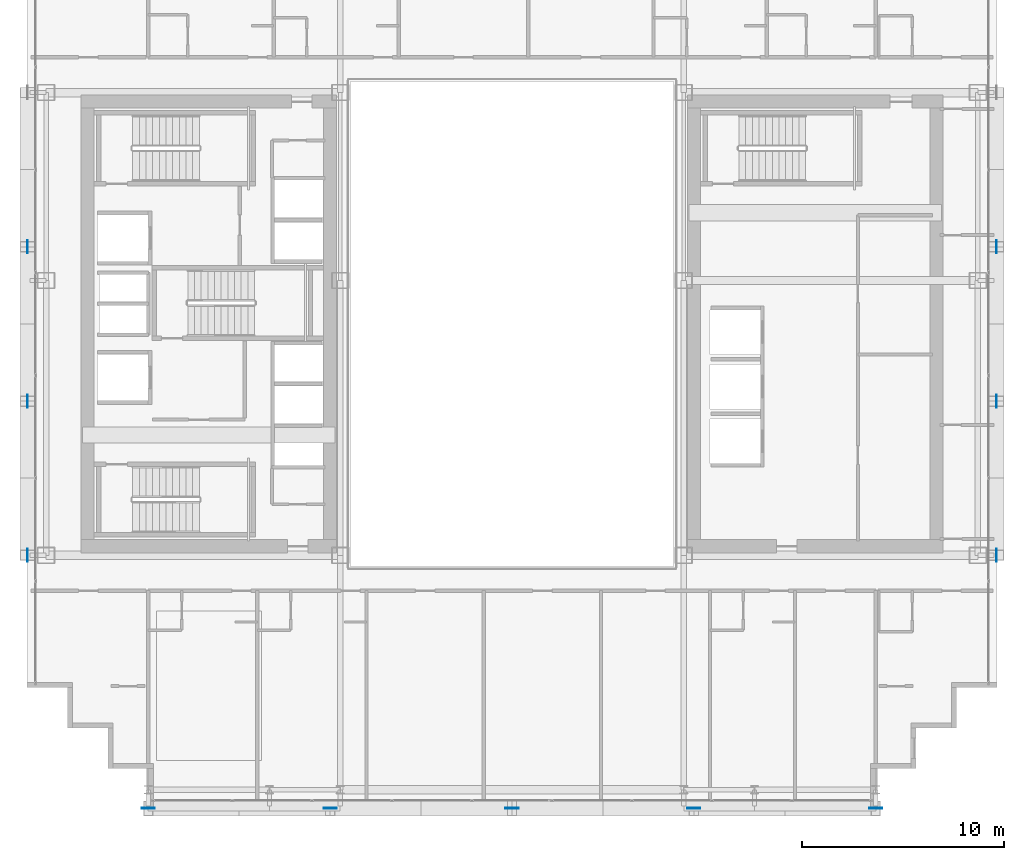
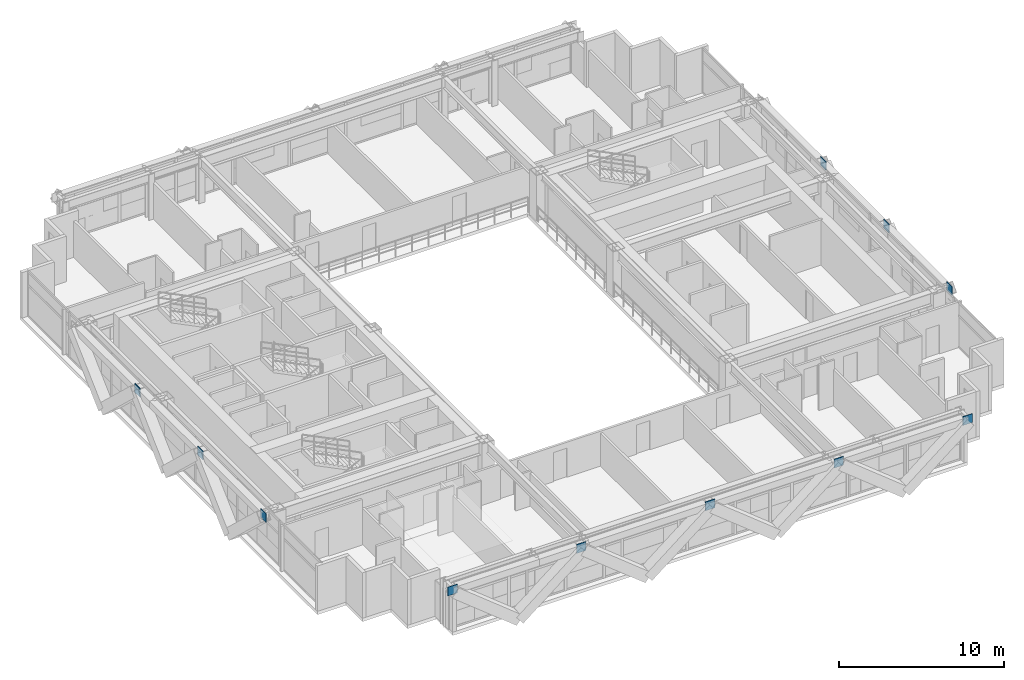
# One storey, part 25 of 35: 11 plates.
"""IFC4 building model written with IfcOpenShell, lengths in metres."""

from ifc_helpers import new_model, si_unit, direction, frame, origin, origin_2d, place, context, subcontext, project, spatial, rectangle, extrude, source, transform, mapped, material, layer, layer_set, type_object, element, save


model = new_model("IFC4")

# Units and contexts
model_context = context("Model", 3, precision=1e-05, world=origin(), true_north=direction((0.0, 1.0)))
body_context = subcontext(model_context, "Body", "Model", "MODEL_VIEW")
ifc_project = project(units=[si_unit("LENGTHUNIT", "METRE"), si_unit("AREAUNIT", "SQUARE_METRE"), si_unit("VOLUMEUNIT", "CUBIC_METRE"), si_unit("PLANEANGLEUNIT", "RADIAN"), si_unit("MASSUNIT", "GRAM", prefix="KILO")], contexts=[model_context])

# Site, building, storey
site_placement = place(None, origin())
site = spatial("IfcSite", under=ifc_project, at=site_placement, CompositionType="ELEMENT")
building_placement = place(site_placement, origin())
building = spatial("IfcBuilding", under=site, at=building_placement, Name="Ocotamira Hotel", CompositionType="ELEMENT")
storey_placement = place(building_placement, frame((0.0, 0.0, 122.39990234375)))
storey = spatial("IfcBuildingStorey", under=building, at=storey_placement, Name="L30", CompositionType="ELEMENT", Elevation=122.39990234375)

# Plates
ifc_material = material(Name="Pale-metal coated steel ASTM A572 Grade 50", Category="steel")
ifc_layer = layer(ifc_material, 0.0400390625)
ifc_layer_set = layer_set([ifc_layer], Name="Pale-metal coated steel ASTM A572 Grade 50")
plate_type = type_object("IfcPlateType", Name="PLT-GUSSET-40", PredefinedType="SHEET", material=ifc_layer_set)
shared_shape_1 = source(origin(), body_context, "Body", "SweptSolid", [
    extrude(rectangle(XDim=0.64990234375, YDim=0.0400390625, at=origin_2d()), origin(), (0.0, 0.0, 1.0), 0.64990234375),
])
for number, where, z_axis, x_axis, name in (
    (1, (14.0, 2.030029296875, 2.78515625), (0.0, 0.0, 1.0), (-1.0, 0.0, 0.0), "L30 Exoskeleton Diagrid S0.1 End Gusset B"),
    (2, (23.0, 2.030029296875, 2.78515625), (0.0, 0.0, 1.0), (1.0, 0.0, 0.0), "L30 Exoskeleton Diagrid S0.2 End Gusset B"),
    (3, (32.0, 2.030029296875, 2.78515625), (0.0, 0.0, 1.0), (1.0, 0.0, 0.0), "L30 Exoskeleton Diagrid S1.2 End Gusset B"),
    (4, (41.0, 2.030029296875, 2.78515625), (0.0, 0.0, 1.0), (1.0, 0.0, 0.0), "L30 Exoskeleton Diagrid S2.2 End Gusset B"),
    (5, (50.0, 2.030029296875, 2.78515625), (0.0, 0.0, 1.0), (1.0, 0.0, 0.0), "L30 Exoskeleton Diagrid S3.2 End Gusset B"),
):
    element("IfcPlate", number, at=place(storey_placement, frame(where, z_axis=z_axis, x_axis=x_axis)), inside=storey, type_object=plate_type, Name=name, PredefinedType="SHEET", context=body_context, shape_type="MappedRepresentation", body=[
        mapped(shared_shape_1, transform((0.0, 0.0, 0.0), scale=1.0)),
    ])
shared_shape_2 = source(origin(), body_context, "Body", "SweptSolid", [
    extrude(rectangle(XDim=0.0400390625, YDim=0.64990234375, at=origin_2d()), origin(), (0.0, 0.0, 1.0), 0.64990234375),
])
for number, where, z_axis, x_axis, name in (
    (6, (8.030029296875, 14.550048828125, 2.78515625), (0.0, 0.0, 1.0), (1.0, 0.0, 0.0), "L30 Exoskeleton Diagrid W0.1 End Gusset B"),
    (7, (8.030029296875, 22.183349609375, 2.78515625), (0.0, 0.0, 1.0), (1.0, 0.0, 0.0), "L30 Exoskeleton Diagrid W0.2 End Gusset B"),
    (8, (8.030029296875, 29.816650390625, 2.78515625), (0.0, 0.0, 1.0), (1.0, 0.0, 0.0), "L30 Exoskeleton Diagrid W1.2 End Gusset B"),
    (9, (55.969970703125, 14.550048828125, 2.78515625), (0.0, 0.0, 1.0), (1.0, 0.0, 0.0), "L30 Exoskeleton Diagrid E0.1 End Gusset B"),
    (10, (55.969970703125, 22.183349609375, 2.78515625), (0.0, 0.0, 1.0), (1.0, 0.0, 0.0), "L30 Exoskeleton Diagrid E0.2 End Gusset B"),
    (11, (55.969970703125, 29.816650390625, 2.78515625), (0.0, 0.0, 1.0), (1.0, 0.0, 0.0), "L30 Exoskeleton Diagrid E1.2 End Gusset B"),
):
    element("IfcPlate", number, at=place(storey_placement, frame(where, z_axis=z_axis, x_axis=x_axis)), inside=storey, type_object=plate_type, Name=name, PredefinedType="SHEET", context=body_context, shape_type="MappedRepresentation", body=[
        mapped(shared_shape_2, transform((0.0, 0.0, 0.0), scale=1.0)),
    ])

save(model, "model.ifc")
